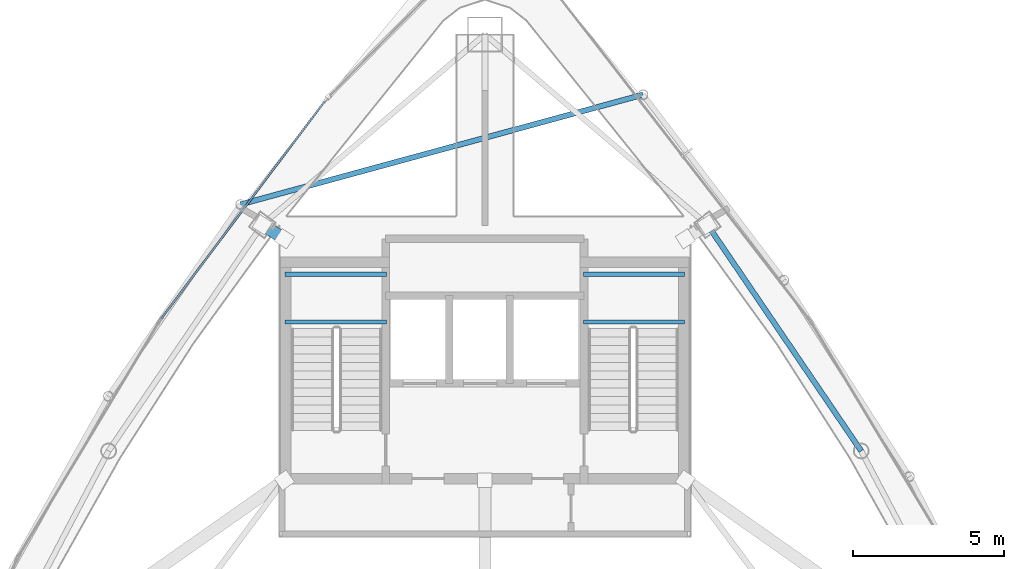
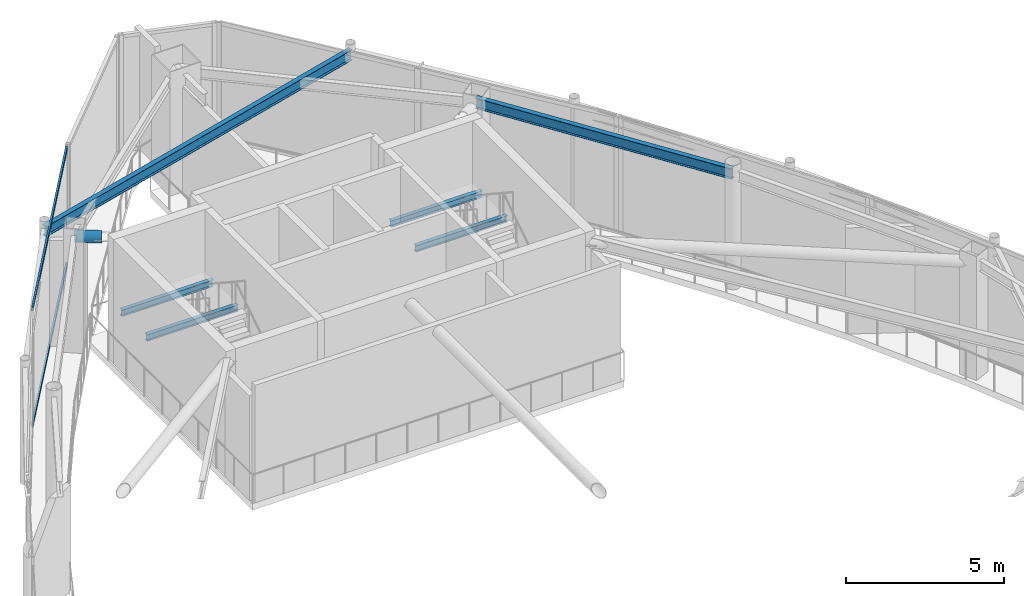
# One storey, part 9 of 20: 6 beams, 3 members, 1 element without a shape of its own.
"""IFC4 building model written with IfcOpenShell, lengths in metres."""

from ifc_helpers import new_model, si_unit, direction, frame, origin, origin_2d, place, context, subcontext, project, spatial, hollow_rectangle, hollow_circle, i_section, extrude, material, layer, layer_set, material_profile, profile_set, type_object, element, aggregate, save


model = new_model("IFC4")

# Units and contexts
model_context = context("Model", 3, precision=1e-05, world=origin(), true_north=direction((0.0, 1.0)))
body_context = subcontext(model_context, "Body", "Model", "MODEL_VIEW")
ifc_project = project(units=[si_unit("LENGTHUNIT", "METRE"), si_unit("AREAUNIT", "SQUARE_METRE"), si_unit("VOLUMEUNIT", "CUBIC_METRE"), si_unit("PLANEANGLEUNIT", "RADIAN"), si_unit("MASSUNIT", "GRAM", prefix="KILO")], contexts=[model_context])

# Site, building, storey
site_placement = place(None, origin())
site = spatial("IfcSite", under=ifc_project, at=site_placement, CompositionType="ELEMENT")
building_placement = place(site_placement, origin())
building = spatial("IfcBuilding", under=site, at=building_placement, Name="Orvanel Arch Residences", CompositionType="ELEMENT")
storey_placement = place(building_placement, frame((0.0, 0.0, 305.300048828125)))
storey = spatial("IfcBuildingStorey", under=building, at=storey_placement, Name="L85", CompositionType="ELEMENT", Elevation=305.300048828125)

# Beams
ifc_material_1 = material(Name="Structural steel AS/NZS 3679.1 Grade 300 (300 MPa)", Category="steel")
ifc_material_profile_1 = material_profile(ifc_material_1, i_section(OverallWidth=0.14599609375, OverallDepth=0.251953125, WebThickness=0.006103515625, FlangeThickness=0.008544921875, at=origin_2d()), Name="250UB31.4")
ifc_profile_set_1 = profile_set([ifc_material_profile_1], Name="Structural steel AS/NZS 3679.1 Grade 300 (300 MPa)")
beam_type_1 = type_object("IfcBeamType", Name="BJ-250UB", PredefinedType="JOIST", material=ifc_profile_set_1)
for number, where, z_axis, x_axis, name in (
    (1, (26.39990234375, 31.89990234375, 2.073974609375), (1.0, 0.0, 0.0), (0.0, 1.0, 0.0), "L85 ST-1 Half-Landing Support Beam 1.1"),
    (2, (26.39990234375, 33.47998046875, 2.073974609375), (1.0, 0.0, 0.0), (0.0, 1.0, 0.0), "L85 ST-1 Half-Landing Support Beam 1.2"),
    (3, (36.25, 31.89990234375, 2.073974609375), (1.0, 0.0, 0.0), (0.0, 1.0, 0.0), "L85 ST-2 Half-Landing Support Beam 1.1"),
    (4, (36.25, 33.47998046875, 2.073974609375), (1.0, 0.0, 0.0), (0.0, 1.0, 0.0), "L85 ST-2 Half-Landing Support Beam 1.2"),
):
    element("IfcBeam", number, at=place(storey_placement, frame(where, z_axis=z_axis, x_axis=x_axis)), inside=storey, type_object=beam_type_1, Name=name, PredefinedType="JOIST", context=body_context, shape_type="SweptSolid", body=[
        extrude(i_section(OverallWidth=0.14599609375, OverallDepth=0.251953125, WebThickness=0.006103515625, FlangeThickness=0.008544921875, at=origin_2d()), origin(), (0.0, 0.0, 1.0), 3.35009765625),
    ])
ifc_material_profile_2 = material_profile(ifc_material_1, i_section(OverallWidth=0.177978515625, OverallDepth=0.406005859375, WebThickness=0.0078125, FlangeThickness=0.0126953125, at=origin_2d()), Name="410UB59.7")
ifc_profile_set_2 = profile_set([ifc_material_profile_2], Name="Structural steel AS/NZS 3679.1 Grade 300 (300 MPa)")
beam_type_2 = type_object("IfcBeamType", Name="OB-410UB", PredefinedType="SPANDREL", material=ifc_profile_set_2)
beam_1_placement = place(storey_placement, frame((45.430908203125, 27.64111328125, 4.346923828125), z_axis=(-0.562154793153, 0.827032035978, 0.0), x_axis=(-0.827032035978, -0.562154793153, 0.0)))
element("IfcBeam", 5, at=beam_1_placement, inside=storey, type_object=beam_type_2, Name="L85 Perimeter Spandrel Beam 08", PredefinedType="SPANDREL", context=body_context, shape_type="SweptSolid", body=[
    extrude(i_section(OverallWidth=0.177978515625, OverallDepth=0.406005859375, WebThickness=0.0078125, FlangeThickness=0.0126953125, at=origin_2d()), origin(), (0.0, 0.0, 1.0), 9.03466796875),
])
ifc_material_profile_3 = material_profile(ifc_material_1, i_section(OverallWidth=0.177978515625, OverallDepth=0.406005859375, WebThickness=0.0078125, FlangeThickness=0.0126953125, at=origin_2d()), Name="410UB59.7")
ifc_profile_set_3 = profile_set([ifc_material_profile_3], Name="Structural steel AS/NZS 3679.1 Grade 300 (300 MPa)")
beam_type_3 = type_object("IfcBeamType", Name="OB-410UB-EXT", PredefinedType="SPANDREL", material=ifc_profile_set_3)
beam_2_placement = place(storey_placement, frame((38.22412109375, 39.409912109375, 4.346923828125), z_axis=(-0.964794480335, -0.263004963291, 0.0), x_axis=(0.263004963291, -0.964794480335, 0.0)))
element("IfcBeam", 6, at=beam_2_placement, inside=storey, type_object=beam_type_3, Name="L85 Outer Perimeter Floor Ring Beam 12", PredefinedType="SPANDREL", context=body_context, shape_type="SweptSolid", body=[
    extrude(i_section(OverallWidth=0.177978515625, OverallDepth=0.406005859375, WebThickness=0.0078125, FlangeThickness=0.0126953125, at=origin_2d()), origin(), (0.0, 0.0, 1.0), 13.779296875),
])

# Member
ifc_material_2 = material(Name="Structural steel AS/NZS 1163 C350L0 (Grade 350)", Category="steel")
ifc_material_profile_4 = material_profile(ifc_material_2, hollow_circle(Radius=0.202880859375, WallThickness=0.01611328125, at=origin_2d()), Name="CHS406x16")
ifc_profile_set_4 = profile_set([ifc_material_profile_4], Name="Structural steel AS/NZS 1163 C350L0 (Grade 350)")
member_type_1 = type_object("IfcMemberType", Name="RF-406CHS", PredefinedType="RAFTER", material=ifc_profile_set_4)
member_1_placement = place(storey_placement, frame((26.375, 34.64990234375, 4.300048828125), z_axis=(-0.843416501634, 0.537260276562, 0.0), x_axis=(-0.537260276562, -0.843416501634, 0.0)))
element("IfcMember", 7, at=member_1_placement, inside=storey, type_object=member_type_1, Name="L85 Winter-Garden Conservatory Gallery Rafter 03", PredefinedType="RAFTER", context=body_context, shape_type="SweptSolid", body=[
    extrude(hollow_circle(Radius=0.202880859375, WallThickness=0.01611328125, at=origin_2d()), origin(), (0.0, 0.0, 1.0), 0.862060546875),
])

# Curtain wall, members
ifc_material_3 = material(Name="Bronze-anodised aluminium AA6063-T6", Category="aluminium")
ifc_layer = layer(ifc_material_3, 0.2099609375)
ifc_layer_set = layer_set([ifc_layer], Name="Bronze-anodised aluminium AA6063-T6")
curtain_wall_type = type_object("IfcCurtainWallType", Name="CW7-TOP-SYS", PredefinedType="NOTDEFINED", material=ifc_layer_set)
curtain_wall_placement = place(storey_placement, origin())
curtain_wall = element("IfcCurtainWall", 8, at=curtain_wall_placement, inside=storey, type_object=curtain_wall_type, Name="L85 CW7-TOP-SYS Unitised Curtain Wall", PredefinedType="NOTDEFINED")
ifc_material_profile_5 = material_profile(ifc_material_3, hollow_rectangle(XDim=0.06494140625, YDim=0.14990234375, WallThickness=0.00390625, at=origin_2d()), Name="ALU150x65x4")
ifc_profile_set_5 = profile_set([ifc_material_profile_5], Name="Bronze-anodised aluminium AA6063-T6")
member_type_2 = type_object("IfcMemberType", Name="TRN-150x65", PredefinedType="USERDEFINED", material=ifc_profile_set_5)
member_2_placement = place(storey_placement, frame((27.7060546875, 39.192138671875, 0.032470703125), z_axis=(-0.600891851957, -0.799330333624, 0.0), x_axis=(0.799330333624, -0.600891851957, 0.0)))
member_2 = element("IfcMember", 9, at=member_2_placement, type_object=member_type_2, Name="CW-S7 transom 1.1", ObjectType="TRANSOM", PredefinedType="USERDEFINED", context=body_context, shape_type="SweptSolid", body=[
    extrude(hollow_rectangle(XDim=0.06494140625, YDim=0.14990234375, WallThickness=0.00390625, at=origin_2d()), origin(), (0.0, 0.0, 1.0), 8.97509765625),
])
member_3_placement = place(storey_placement, frame((27.7060546875, 39.192138671875, 4.517333984375), z_axis=(-0.600891851957, -0.799330333624, 0.0), x_axis=(0.799330333624, -0.600891851957, 0.0)))
member_3 = element("IfcMember", 10, at=member_3_placement, type_object=member_type_2, Name="CW-S7 transom 1.2", ObjectType="TRANSOM", PredefinedType="USERDEFINED", context=body_context, shape_type="SweptSolid", body=[
    extrude(hollow_rectangle(XDim=0.06494140625, YDim=0.14990234375, WallThickness=0.00390625, at=origin_2d()), origin(), (0.0, 0.0, 1.0), 8.97509765625),
])
aggregate(curtain_wall, [member_2, member_3])

save(model, "model.ifc")
